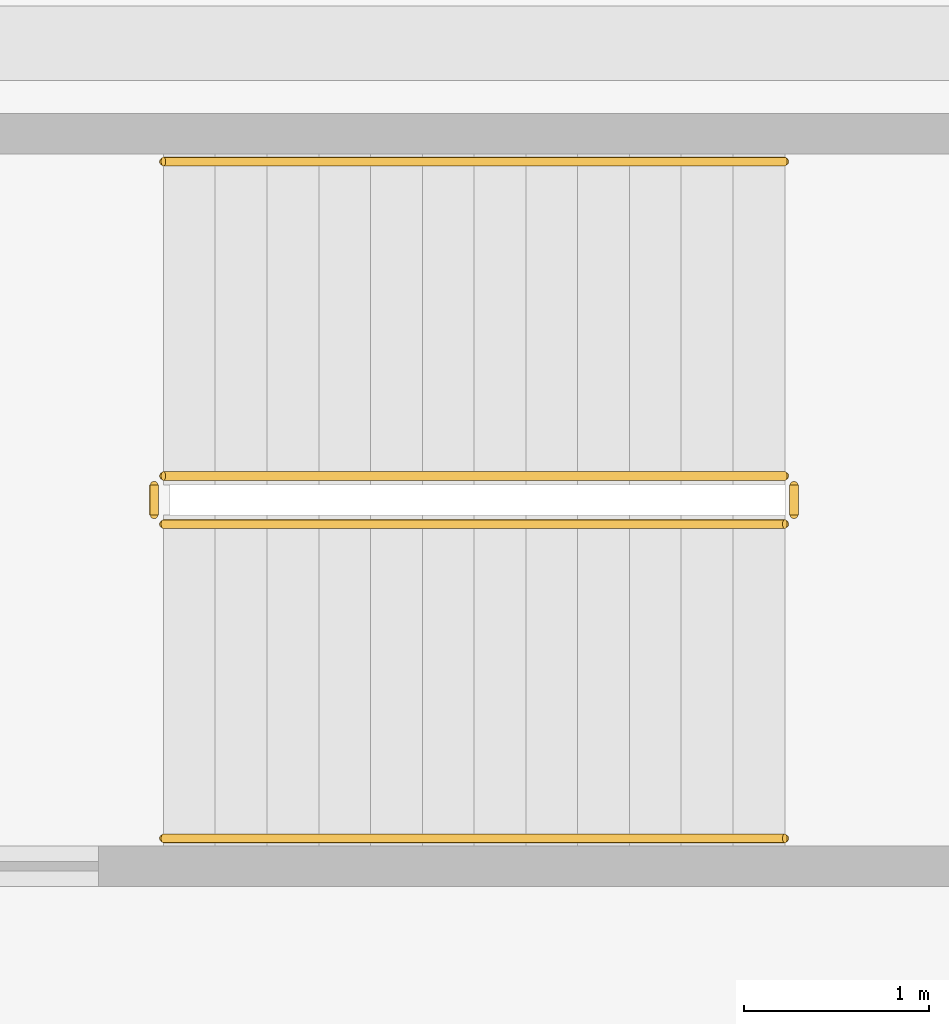
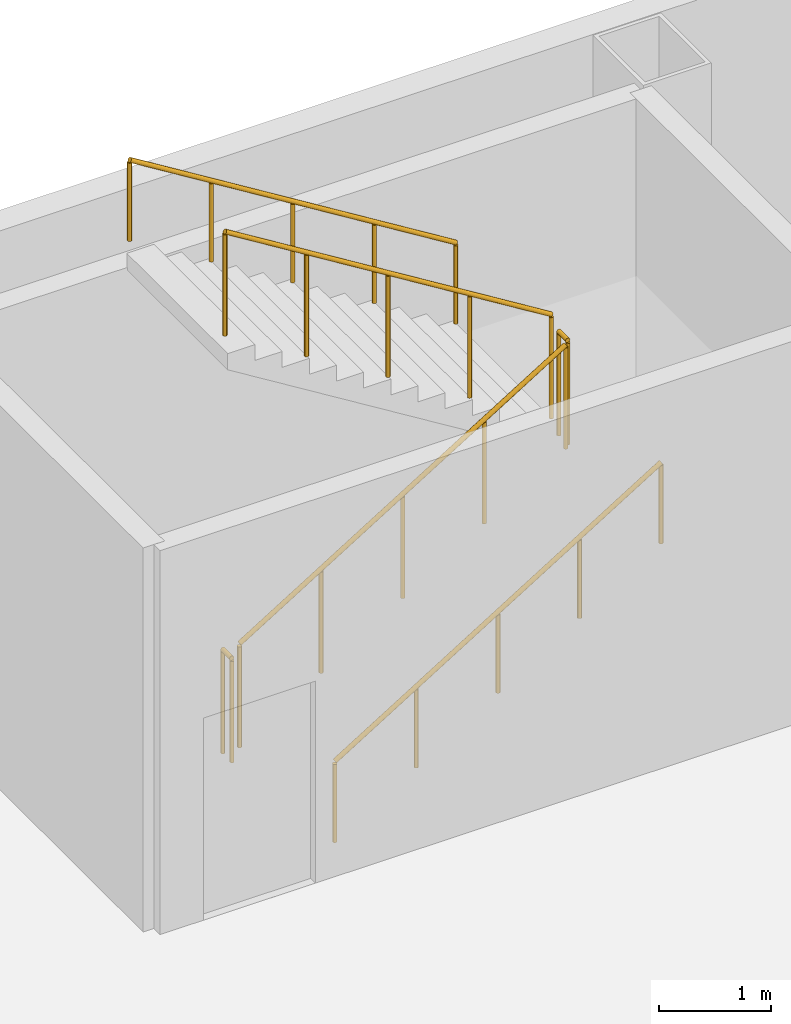
# One storey, part 27 of 27: 6 railings.
"""IFC4 building model written with IfcOpenShell, lengths in metres."""

from ifc_helpers import new_model, si_unit, direction, frame, origin, origin_2d, place, context, subcontext, project, spatial, circle, extrude, material, type_object, element, save


model = new_model("IFC4")

# Units and contexts
model_context = context("Model", 3, precision=1e-05, world=origin(), true_north=direction((0.0, 1.0)))
body_context = subcontext(model_context, "Body", "Model", "MODEL_VIEW")
ifc_project = project(units=[si_unit("LENGTHUNIT", "METRE"), si_unit("AREAUNIT", "SQUARE_METRE"), si_unit("VOLUMEUNIT", "CUBIC_METRE"), si_unit("PLANEANGLEUNIT", "RADIAN"), si_unit("MASSUNIT", "GRAM", prefix="KILO")], contexts=[model_context])

# Site, building, storey
site_placement = place(None, origin())
site = spatial("IfcSite", under=ifc_project, at=site_placement, CompositionType="ELEMENT")
building_placement = place(site_placement, origin())
building = spatial("IfcBuilding", under=site, at=building_placement, Name="Kolveth Station Tower", CompositionType="ELEMENT")
storey_placement = place(building_placement, frame((0.0, 0.0, 13.5)))
storey = spatial("IfcBuildingStorey", under=building, at=storey_placement, Name="L03", CompositionType="ELEMENT", Elevation=13.5)

# Railings
ifc_material_1 = material(Name="Painted Steel S355 balustrade", Category="steel")
railing_type_1 = type_object("IfcRailingType", Name="Guard_GR2", PredefinedType="BALUSTRADE", material=ifc_material_1)
railing_1_placement = place(storey_placement, frame((57.75, 37.14990234375, 0.173095703125)))
element("IfcRailing", 1, at=railing_1_placement, inside=storey, type_object=railing_type_1, Name="L03 ST3 stair guard 1", PredefinedType="BALUSTRADE", context=body_context, shape_type="SweptSolid", body=[
    extrude(circle(Radius=0.02392578125, at=origin_2d()), frame((0.0, 0.0, 1.1259765625), z_axis=(0.850623216509, 0.0, 0.525775754039), x_axis=(0.0, 1.0, 0.0)), (0.0, 0.0, 1.0), 3.9501953125),
    extrude(circle(Radius=0.02099609375, at=origin_2d()), origin(), (0.0, 0.0, 1.0), 1.101806640625),
    extrude(circle(Radius=0.02099609375, at=origin_2d()), frame((0.840087890625, 0.0, 0.519287109375)), (0.0, 0.0, 1.0), 1.101806640625),
    extrude(circle(Radius=0.02099609375, at=origin_2d()), frame((1.68017578125, 0.0, 1.03857421875)), (0.0, 0.0, 1.0), 1.101806640625),
    extrude(circle(Radius=0.02099609375, at=origin_2d()), frame((2.52001953125, 0.0, 1.5576171875)), (0.0, 0.0, 1.0), 1.101806640625),
    extrude(circle(Radius=0.02099609375, at=origin_2d()), frame((3.360107421875, 0.0, 2.076904296875)), (0.0, 0.0, 1.0), 1.101806640625),
])
railing_2_placement = place(storey_placement, frame((61.159912109375, 37.199951171875, 2.25)))
element("IfcRailing", 2, at=railing_2_placement, inside=storey, type_object=railing_type_1, Name="L03 ST3 stair guard 2", PredefinedType="BALUSTRADE", context=body_context, shape_type="SweptSolid", body=[
    extrude(circle(Radius=0.02392578125, at=origin_2d()), frame((0.0, 0.0, 1.1259765625), z_axis=(0.0, 1.0, 0.0), x_axis=(-1.0, 0.0, 0.0)), (0.0, 0.0, 1.0), 0.16015625),
    extrude(circle(Radius=0.02099609375, at=origin_2d()), origin(), (0.0, 0.0, 1.0), 1.101806640625),
    extrude(circle(Radius=0.02099609375, at=origin_2d()), frame((0.0, 0.16015625, 0.0)), (0.0, 0.0, 1.0), 1.101806640625),
])
railing_3_placement = place(storey_placement, frame((61.110107421875, 37.409912109375, 2.423095703125)))
element("IfcRailing", 3, at=railing_3_placement, inside=storey, type_object=railing_type_1, Name="L03 ST3 stair guard 3", PredefinedType="BALUSTRADE", context=body_context, shape_type="SweptSolid", body=[
    extrude(circle(Radius=0.02392578125, at=origin_2d()), frame((0.0, 0.0, 1.1259765625), z_axis=(-0.850623216509, 0.0, 0.525775754039), x_axis=(0.0, -1.0, 0.0)), (0.0, 0.0, 1.0), 3.9501953125),
    extrude(circle(Radius=0.02099609375, at=origin_2d()), origin(), (0.0, 0.0, 1.0), 1.101806640625),
    extrude(circle(Radius=0.02099609375, at=origin_2d()), frame((-0.840087890625, 0.0, 0.519287109375)), (0.0, 0.0, 1.0), 1.101806640625),
    extrude(circle(Radius=0.02099609375, at=origin_2d()), frame((-1.68017578125, 0.0, 1.03857421875)), (0.0, 0.0, 1.0), 1.101806640625),
    extrude(circle(Radius=0.02099609375, at=origin_2d()), frame((-2.52001953125, 0.0, 1.5576171875)), (0.0, 0.0, 1.0), 1.101806640625),
    extrude(circle(Radius=0.02099609375, at=origin_2d()), frame((-3.360107421875, 0.0, 2.076904296875)), (0.0, 0.0, 1.0), 1.101806640625),
])
railing_4_placement = place(storey_placement, frame((57.699951171875, 37.199951171875, 0.0)))
element("IfcRailing", 4, at=railing_4_placement, inside=storey, type_object=railing_type_1, Name="L03 ST3 stair guard 4", PredefinedType="BALUSTRADE", context=body_context, shape_type="SweptSolid", body=[
    extrude(circle(Radius=0.02392578125, at=origin_2d()), frame((0.0, 0.0, 1.1259765625), z_axis=(0.0, 1.0, 0.0), x_axis=(-1.0, 0.0, 0.0)), (0.0, 0.0, 1.0), 0.16015625),
    extrude(circle(Radius=0.02099609375, at=origin_2d()), origin(), (0.0, 0.0, 1.0), 1.101806640625),
    extrude(circle(Radius=0.02099609375, at=origin_2d()), frame((0.0, 0.16015625, 0.0)), (0.0, 0.0, 1.0), 1.101806640625),
])
ifc_material_2 = material(Name="Brushed stainless steel", Category="steel")
railing_type_2 = type_object("IfcRailingType", Name="Handrail_HR1", PredefinedType="HANDRAIL", material=ifc_material_2)
railing_5_placement = place(storey_placement, frame((57.75, 35.449951171875, 0.173095703125)))
element("IfcRailing", 5, at=railing_5_placement, inside=storey, type_object=railing_type_2, Name="L03 ST3 stair handrail 1", PredefinedType="HANDRAIL", context=body_context, shape_type="SweptSolid", body=[
    extrude(circle(Radius=0.02392578125, at=origin_2d()), frame((0.0, 0.0, 0.8759765625), z_axis=(0.850623216509, 0.0, 0.525775754039), x_axis=(0.0, 1.0, 0.0)), (0.0, 0.0, 1.0), 3.9501953125),
    extrude(circle(Radius=0.02099609375, at=origin_2d()), origin(), (0.0, 0.0, 1.0), 0.851806640625),
    extrude(circle(Radius=0.02099609375, at=origin_2d()), frame((0.840087890625, 0.0, 0.519287109375)), (0.0, 0.0, 1.0), 0.851806640625),
    extrude(circle(Radius=0.02099609375, at=origin_2d()), frame((1.68017578125, 0.0, 1.03857421875)), (0.0, 0.0, 1.0), 0.851806640625),
    extrude(circle(Radius=0.02099609375, at=origin_2d()), frame((2.52001953125, 0.0, 1.5576171875)), (0.0, 0.0, 1.0), 0.851806640625),
    extrude(circle(Radius=0.02099609375, at=origin_2d()), frame((3.360107421875, 0.0, 2.076904296875)), (0.0, 0.0, 1.0), 0.851806640625),
])
railing_6_placement = place(storey_placement, frame((61.110107421875, 39.110107421875, 2.423095703125)))
element("IfcRailing", 6, at=railing_6_placement, inside=storey, type_object=railing_type_2, Name="L03 ST3 stair handrail 2", PredefinedType="HANDRAIL", context=body_context, shape_type="SweptSolid", body=[
    extrude(circle(Radius=0.02392578125, at=origin_2d()), frame((0.0, 0.0, 0.8759765625), z_axis=(-0.850623216509, 0.0, 0.525775754039), x_axis=(0.0, -1.0, 0.0)), (0.0, 0.0, 1.0), 3.9501953125),
    extrude(circle(Radius=0.02099609375, at=origin_2d()), origin(), (0.0, 0.0, 1.0), 0.851806640625),
    extrude(circle(Radius=0.02099609375, at=origin_2d()), frame((-0.840087890625, 0.0, 0.519287109375)), (0.0, 0.0, 1.0), 0.851806640625),
    extrude(circle(Radius=0.02099609375, at=origin_2d()), frame((-1.68017578125, 0.0, 1.03857421875)), (0.0, 0.0, 1.0), 0.851806640625),
    extrude(circle(Radius=0.02099609375, at=origin_2d()), frame((-2.52001953125, 0.0, 1.5576171875)), (0.0, 0.0, 1.0), 0.851806640625),
    extrude(circle(Radius=0.02099609375, at=origin_2d()), frame((-3.360107421875, 0.0, 2.076904296875)), (0.0, 0.0, 1.0), 0.851806640625),
])

save(model, "model.ifc")
